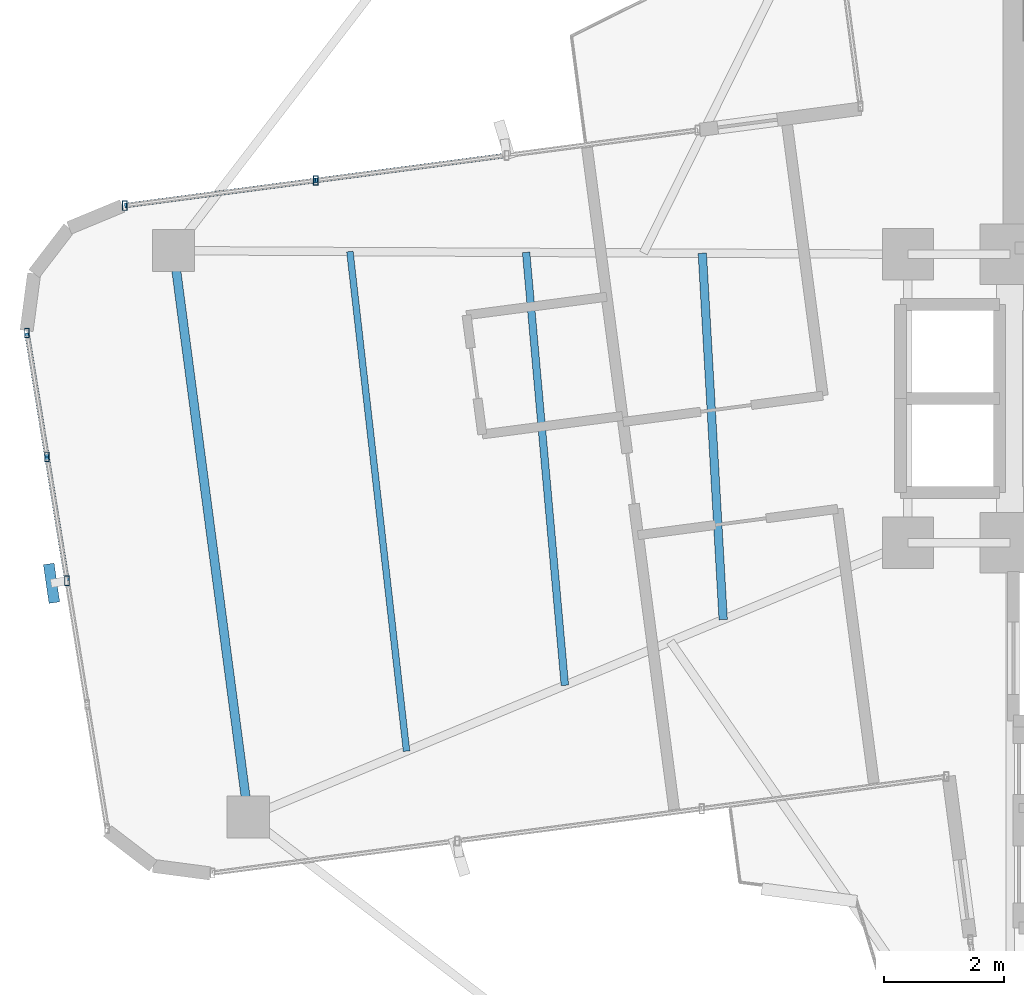
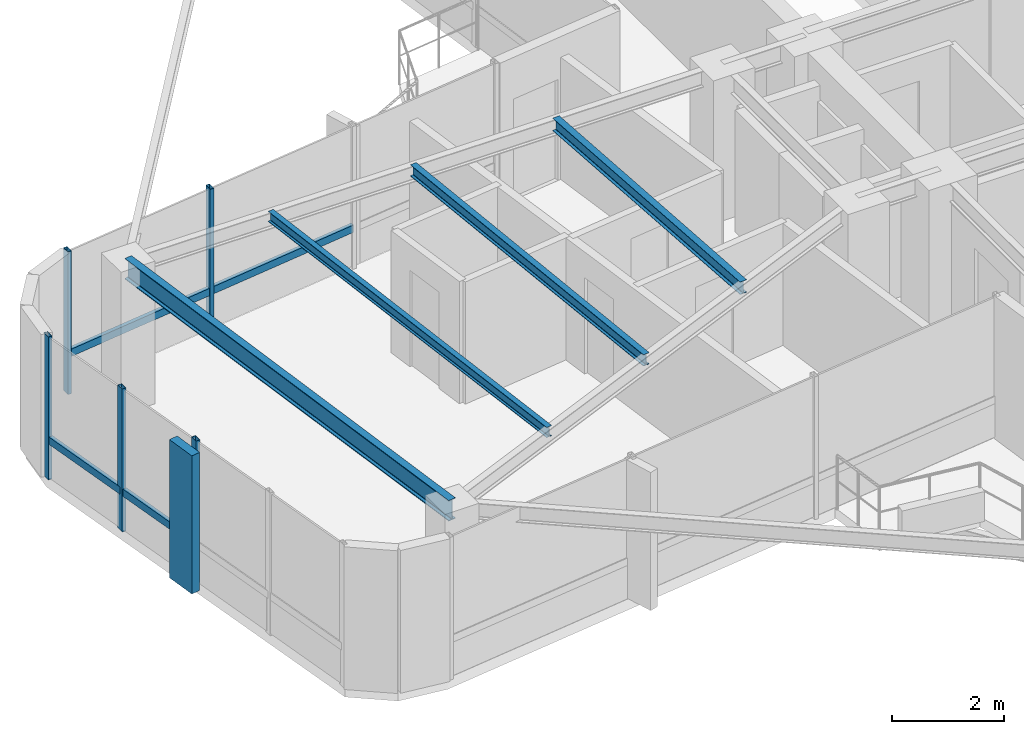
# One storey, part 7 of 22: 10 members, 4 beams, 2 elements without a shape of their own.
"""IFC4 building model written with IfcOpenShell, lengths in metres."""

from ifc_helpers import new_model, si_unit, direction, frame, origin, origin_2d, place, context, subcontext, project, spatial, rectangle, hollow_rectangle, i_section, extrude, source, transform, mapped, material, material_profile, profile_set, type_object, element, aggregate, save


model = new_model("IFC4")

# Units and contexts
model_context = context("Model", 3, precision=1e-05, world=origin(), true_north=direction((0.0, 1.0)))
body_context = subcontext(model_context, "Body", "Model", "MODEL_VIEW")
ifc_project = project(units=[si_unit("LENGTHUNIT", "METRE"), si_unit("AREAUNIT", "SQUARE_METRE"), si_unit("VOLUMEUNIT", "CUBIC_METRE"), si_unit("PLANEANGLEUNIT", "RADIAN"), si_unit("MASSUNIT", "GRAM", prefix="KILO")], contexts=[model_context])

# Site, building, storey
site_placement = place(None, origin())
site = spatial("IfcSite", under=ifc_project, at=site_placement, CompositionType="ELEMENT")
building_placement = place(site_placement, origin())
building = spatial("IfcBuilding", under=site, at=building_placement, Name="Sahyath Konkavel Grand Hotel", CompositionType="ELEMENT")
storey_placement = place(building_placement, frame((0.0, 0.0, 269.10009765625)))
storey = spatial("IfcBuildingStorey", under=building, at=storey_placement, Name="L75", CompositionType="ELEMENT", Elevation=269.10009765625)

# Beams
ifc_material_1 = material(Name="Steel E350", Category="steel")
ifc_material_profile_1 = material_profile(ifc_material_1, i_section(OverallWidth=0.14990234375, OverallDepth=0.449951171875, WebThickness=0.009521484375, FlangeThickness=0.017333984375, FilletRadius=0.014892578125, at=origin_2d()), Name="ISMB 450")
ifc_profile_set_1 = profile_set([ifc_material_profile_1], Name="Steel E350")
beam_type_1 = type_object("IfcBeamType", Name="BM-ISMB450", PredefinedType="BEAM", material=ifc_profile_set_1)
shared_shape_1 = source(origin(), body_context, "Body", "SweptSolid", [
    extrude(i_section(OverallWidth=0.14990234375, OverallDepth=0.449951171875, WebThickness=0.009521484375, FlangeThickness=0.017333984375, FilletRadius=0.014892578125, at=origin_2d()), origin(), (0.0, 0.0, 1.0), 9.5),
])
beam_1_placement = place(storey_placement, frame((-17.71240234375, 2.458984375, 2.885009765625), z_axis=(0.130525643939, -0.991444933556, 0.0), x_axis=(0.991444933556, 0.130525643939, 0.0)))
element("IfcBeam", 1, at=beam_1_placement, inside=storey, type_object=beam_type_1, Name="L75 Wing Tip Edge Beam W", PredefinedType="BEAM", context=body_context, shape_type="MappedRepresentation", body=[
    mapped(shared_shape_1, transform((0.0, 0.0, 0.0), scale=1.0)),
])
ifc_material_profile_2 = material_profile(ifc_material_1, i_section(OverallWidth=0.139892578125, OverallDepth=0.27490234375, WebThickness=0.00634765625, FlangeThickness=0.0087890625, FilletRadius=0.012939453125, at=origin_2d()), Name="ISLB 275")
ifc_profile_set_2 = profile_set([ifc_material_profile_2], Name="Steel E350")
beam_type_2 = type_object("IfcBeamType", Name="BM-ISLB275", PredefinedType="BEAM", material=ifc_profile_set_2)
shared_shape_2 = source(origin(), body_context, "Body", "SweptSolid", [
    extrude(i_section(OverallWidth=0.139892578125, OverallDepth=0.27490234375, WebThickness=0.00634765625, FlangeThickness=0.0087890625, FilletRadius=0.012939453125, at=origin_2d()), origin(), (0.0, 0.0, 1.0), 6.10302734375),
])
beam_2_placement = place(storey_placement, frame((-8.91943359375, 2.41650390625, 2.972412109375), z_axis=(0.056883465537, -0.99838082481, 0.0), x_axis=(0.99838082481, 0.056883465537, 0.0)))
element("IfcBeam", 2, at=beam_2_placement, inside=storey, type_object=beam_type_2, Name="L75 Secondary Floor Beam W-1", PredefinedType="BEAM", context=body_context, shape_type="MappedRepresentation", body=[
    mapped(shared_shape_2, transform((0.0, 0.0, 0.0), scale=1.0)),
])
ifc_material_profile_3 = material_profile(ifc_material_1, i_section(OverallWidth=0.125, OverallDepth=0.25, WebThickness=0.0068359375, FlangeThickness=0.012451171875, FilletRadius=0.012939453125, at=origin_2d()), Name="ISMB 250")
ifc_profile_set_3 = profile_set([ifc_material_profile_3], Name="Steel E350")
beam_type_3 = type_object("IfcBeamType", Name="BM-ISMB250", PredefinedType="BEAM", material=ifc_profile_set_3)
shared_shape_3 = source(origin(), body_context, "Body", "SweptSolid", [
    extrude(i_section(OverallWidth=0.125, OverallDepth=0.25, WebThickness=0.0068359375, FlangeThickness=0.012451171875, FilletRadius=0.012939453125, at=origin_2d()), origin(), (0.0, 0.0, 1.0), 7.23046875),
])
beam_3_placement = place(storey_placement, frame((-11.8505859375, 2.4306640625, 2.98486328125), z_axis=(0.089174799421, -0.996015991412, 0.0), x_axis=(0.996015991412, 0.089174799421, 0.0)))
element("IfcBeam", 3, at=beam_3_placement, inside=storey, type_object=beam_type_3, Name="L75 Secondary Floor Beam W-2", PredefinedType="BEAM", context=body_context, shape_type="MappedRepresentation", body=[
    mapped(shared_shape_3, transform((0.0, 0.0, 0.0), scale=1.0)),
])
ifc_material_profile_4 = material_profile(ifc_material_1, i_section(OverallWidth=0.110107421875, OverallDepth=0.22509765625, WebThickness=0.006591796875, FlangeThickness=0.01171875, FilletRadius=0.011962890625, at=origin_2d()), Name="ISMB 225")
ifc_profile_set_4 = profile_set([ifc_material_profile_4], Name="Steel E350")
beam_type_4 = type_object("IfcBeamType", Name="BM-ISMB225", PredefinedType="BEAM", material=ifc_profile_set_4)
shared_shape_4 = source(origin(), body_context, "Body", "SweptSolid", [
    extrude(i_section(OverallWidth=0.110107421875, OverallDepth=0.22509765625, WebThickness=0.006591796875, FlangeThickness=0.01171875, FilletRadius=0.011962890625, at=origin_2d()), origin(), (0.0, 0.0, 1.0), 8.36328125),
])
beam_4_placement = place(storey_placement, frame((-14.781494140625, 2.44482421875, 2.997314453125), z_axis=(0.112680437677, -0.99363127918, 0.0), x_axis=(0.99363127918, 0.112680437677, 0.0)))
element("IfcBeam", 4, at=beam_4_placement, inside=storey, type_object=beam_type_4, Name="L75 Secondary Floor Beam W-3", PredefinedType="BEAM", context=body_context, shape_type="MappedRepresentation", body=[
    mapped(shared_shape_4, transform((0.0, 0.0, 0.0), scale=1.0)),
])

# Curtain wall, members
ifc_material_2 = material(Name="Anodised Bronze Aluminium & Low-E Glazing", Category="aluminium")
curtain_wall_type = type_object("IfcCurtainWallType", Name="CW-ZONE4", PredefinedType="NOTDEFINED", material=ifc_material_2)
curtain_wall_1_placement = place(storey_placement, origin())
curtain_wall_1 = element("IfcCurtainWall", 5, at=curtain_wall_1_placement, inside=storey, type_object=curtain_wall_type, Name="L75 Unitised Curtain Wall F16", PredefinedType="NOTDEFINED")
ifc_material_3 = material(Name="Anodised Bronze Aluminium", Category="aluminium")
ifc_material_profile_5 = material_profile(ifc_material_3, hollow_rectangle(XDim=0.080078125, YDim=0.159912109375, WallThickness=0.006103515625, at=origin_2d()), Name="RHS 160x80x6")
ifc_profile_set_5 = profile_set([ifc_material_profile_5], Name="Anodised Bronze Aluminium")
member_type_1 = type_object("IfcMemberType", Name="CW-MUL-160", PredefinedType="MULLION", material=ifc_profile_set_5)
shared_shape_5 = source(origin(), body_context, "Body", "SweptSolid", [
    extrude(hollow_rectangle(XDim=0.080078125, YDim=0.159912109375, WallThickness=0.006103515625, at=origin_2d()), origin(), (0.0, 0.0, 1.0), 3.10986328125),
])
member_1_placement = place(storey_placement, frame((-15.351318359375, 3.627197265625, 0.0), z_axis=(0.0, 0.0, 1.0), x_axis=(1.0, 0.0, 0.0)))
member_1 = element("IfcMember", 6, at=member_1_placement, type_object=member_type_1, Name="L75 Curtain Wall Mullion F16-2", PredefinedType="MULLION", context=body_context, shape_type="MappedRepresentation", body=[
    mapped(shared_shape_5, transform((0.0, 0.0, 0.0), scale=1.0)),
])
member_2_placement = place(storey_placement, frame((-18.52734375, 3.208984375, 0.0), z_axis=(0.0, 0.0, 1.0), x_axis=(1.0, 0.0, 0.0)))
member_2 = element("IfcMember", 7, at=member_2_placement, type_object=member_type_1, Name="L75 Curtain Wall Mullion F16-3", PredefinedType="MULLION", context=body_context, shape_type="MappedRepresentation", body=[
    mapped(shared_shape_5, transform((0.0, 0.0, 0.0), scale=1.0)),
])

curtain_wall_2_placement = place(storey_placement, origin())
curtain_wall_2 = element("IfcCurtainWall", 8, at=curtain_wall_2_placement, inside=storey, type_object=curtain_wall_type, Name="L75 Unitised Curtain Wall F20", PredefinedType="NOTDEFINED")
member_3_placement = place(storey_placement, frame((-20.1533203125, 1.0888671875, 0.0), z_axis=(0.0, 0.0, 1.0), x_axis=(1.0, 0.0, 0.0)))
member_3 = element("IfcMember", 9, at=member_3_placement, type_object=member_type_1, Name="L75 Curtain Wall Mullion F20-0", PredefinedType="MULLION", context=body_context, shape_type="MappedRepresentation", body=[
    mapped(shared_shape_5, transform((0.0, 0.0, 0.0), scale=1.0)),
])
member_4_placement = place(storey_placement, frame((-19.8203125, -0.9716796875, 0.0), z_axis=(0.0, 0.0, 1.0), x_axis=(1.0, 0.0, 0.0)))
member_4 = element("IfcMember", 10, at=member_4_placement, type_object=member_type_1, Name="L75 Curtain Wall Mullion F20-1", PredefinedType="MULLION", context=body_context, shape_type="MappedRepresentation", body=[
    mapped(shared_shape_5, transform((0.0, 0.0, 0.0), scale=1.0)),
])
member_5_placement = place(storey_placement, frame((-19.487060546875, -3.031982421875, 0.0), z_axis=(0.0, 0.0, 1.0), x_axis=(1.0, 0.0, 0.0)))
member_5 = element("IfcMember", 11, at=member_5_placement, type_object=member_type_1, Name="L75 Curtain Wall Mullion F20-2", PredefinedType="MULLION", context=body_context, shape_type="MappedRepresentation", body=[
    mapped(shared_shape_5, transform((0.0, 0.0, 0.0), scale=1.0)),
])
ifc_material_4 = material(Name="Warm Buff Sandstone Cladding on Concrete C50/60", Category="masonry")
ifc_material_profile_6 = material_profile(ifc_material_4, rectangle(XDim=0.179931640625, YDim=0.64990234375, at=origin_2d()), Name="FIN 180x650")
ifc_profile_set_6 = profile_set([ifc_material_profile_6], Name="Warm Buff Sandstone Cladding on Concrete C50/60")
member_type_2 = type_object("IfcMemberType", Name="FIN-SANDSTONE-650", PredefinedType="MULLION", material=ifc_profile_set_6)
shared_shape_6 = source(origin(), body_context, "Body", "SweptSolid", [
    extrude(rectangle(XDim=0.179931640625, YDim=0.64990234375, at=origin_2d()), origin(), (0.0, 0.0, 1.0), 3.010009765625),
])
member_6_placement = place(storey_placement, frame((-19.74365234375, -3.073486328125, 0.0498046875), z_axis=(0.0, 0.0, 1.0), x_axis=(0.989850775563, 0.142110668555, 0.0)))
member_6 = element("IfcMember", 12, at=member_6_placement, type_object=member_type_2, Name="L75 Sandstone Vertical Solar Fin FIN F20-2", PredefinedType="MULLION", context=body_context, shape_type="MappedRepresentation", body=[
    mapped(shared_shape_6, transform((0.0, 0.0, 0.0), scale=1.0)),
])

# Member
ifc_material_profile_7 = material_profile(ifc_material_3, hollow_rectangle(XDim=0.080078125, YDim=0.159912109375, WallThickness=0.006103515625, at=origin_2d()), Name="RHS 160x80x6")
ifc_profile_set_7 = profile_set([ifc_material_profile_7], Name="Anodised Bronze Aluminium")
member_type_3 = type_object("IfcMemberType", Name="CW-TRN-160", PredefinedType="USERDEFINED", material=ifc_profile_set_7)
shared_shape_7 = source(origin(), body_context, "Body", "SweptSolid", [
    extrude(hollow_rectangle(XDim=0.080078125, YDim=0.159912109375, WallThickness=0.006103515625, at=origin_2d()), origin(), (0.0, 0.0, 1.0), 3.203369140625),
])
member_7_placement = place(storey_placement, frame((-15.351318359375, 3.627197265625, 0.849853515625), z_axis=(-0.991441580194, -0.130551112835, 0.0), x_axis=(0.130551112835, -0.991441580194, 0.0)))
member_7 = element("IfcMember", 13, at=member_7_placement, type_object=member_type_3, Name="L75 Curtain Wall Transom F16-2-spandrel", ObjectType="TRANSOM", PredefinedType="USERDEFINED", context=body_context, shape_type="MappedRepresentation", body=[
    mapped(shared_shape_7, transform((0.0, 0.0, 0.0), scale=1.0)),
])

shared_shape_8 = source(origin(), body_context, "Body", "SweptSolid", [
    extrude(hollow_rectangle(XDim=0.080078125, YDim=0.159912109375, WallThickness=0.006103515625, at=origin_2d()), origin(), (0.0, 0.0, 1.0), 3.203125),
])
member_8_placement = place(storey_placement, frame((-12.175537109375, 4.04541015625, 0.849853515625), z_axis=(-0.991440281121, -0.13056097798, 0.0), x_axis=(0.13056097798, -0.991440281121, 0.0)))
member_8 = element("IfcMember", 14, at=member_8_placement, type_object=member_type_3, Name="L75 Curtain Wall Transom F16-1-spandrel", ObjectType="TRANSOM", PredefinedType="USERDEFINED", context=body_context, shape_type="MappedRepresentation", body=[
    mapped(shared_shape_8, transform((0.0, 0.0, 0.0), scale=1.0)),
])

aggregate(curtain_wall_1, [member_1, member_2, member_8, member_7])

shared_shape_9 = source(origin(), body_context, "Body", "SweptSolid", [
    extrude(hollow_rectangle(XDim=0.080078125, YDim=0.159912109375, WallThickness=0.006103515625, at=origin_2d()), origin(), (0.0, 0.0, 1.0), 2.08740234375),
])
member_9_placement = place(storey_placement, frame((-20.1533203125, 1.0888671875, 0.849853515625), z_axis=(0.159541334591, -0.98719124923, 0.0), x_axis=(0.98719124923, 0.159541334591, 0.0)))
member_9 = element("IfcMember", 15, at=member_9_placement, type_object=member_type_3, Name="L75 Curtain Wall Transom F20-0-spandrel", ObjectType="TRANSOM", PredefinedType="USERDEFINED", context=body_context, shape_type="MappedRepresentation", body=[
    mapped(shared_shape_9, transform((0.0, 0.0, 0.0), scale=1.0)),
])

shared_shape_10 = source(origin(), body_context, "Body", "SweptSolid", [
    extrude(hollow_rectangle(XDim=0.080078125, YDim=0.159912109375, WallThickness=0.006103515625, at=origin_2d()), origin(), (0.0, 0.0, 1.0), 2.087158203125),
])
member_10_placement = place(storey_placement, frame((-19.8203125, -0.9716796875, 0.849853515625), z_axis=(0.159673756436, -0.98716983924, 0.0), x_axis=(0.98716983924, 0.159673756436, 0.0)))
member_10 = element("IfcMember", 16, at=member_10_placement, type_object=member_type_3, Name="L75 Curtain Wall Transom F20-1-spandrel", ObjectType="TRANSOM", PredefinedType="USERDEFINED", context=body_context, shape_type="MappedRepresentation", body=[
    mapped(shared_shape_10, transform((0.0, 0.0, 0.0), scale=1.0)),
])

aggregate(curtain_wall_2, [member_3, member_4, member_5, member_6, member_9, member_10])

save(model, "model.ifc")
